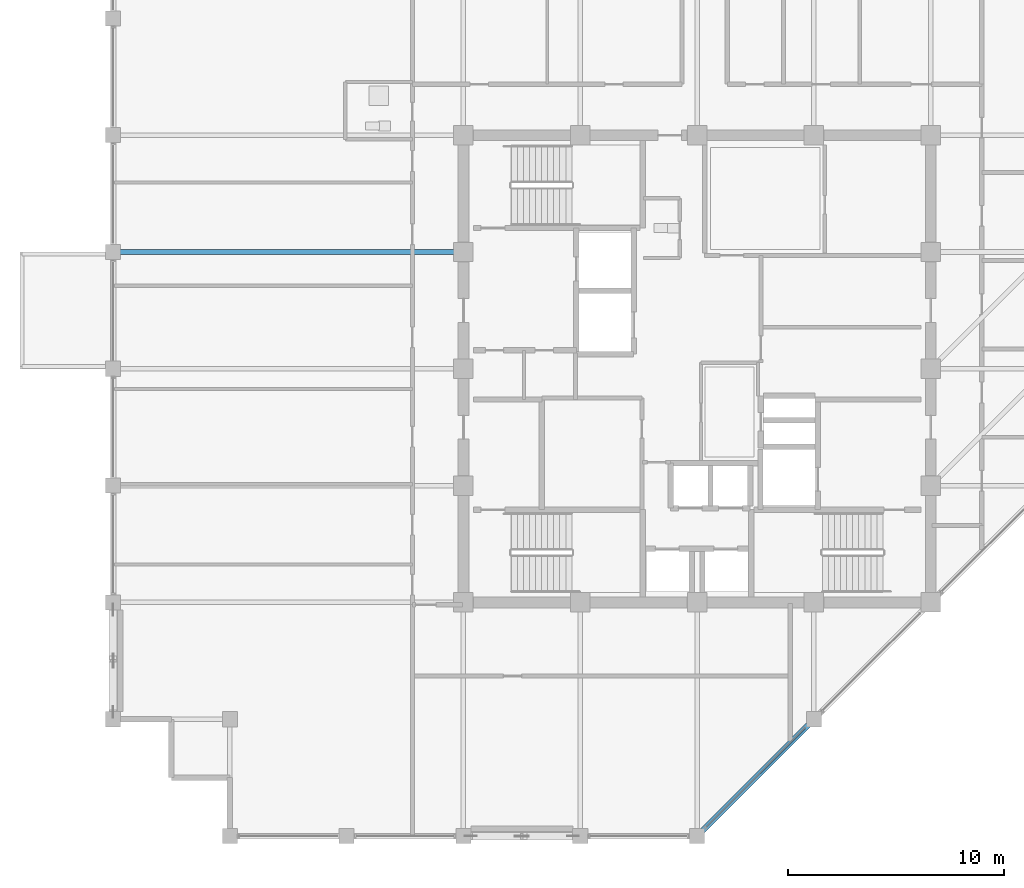
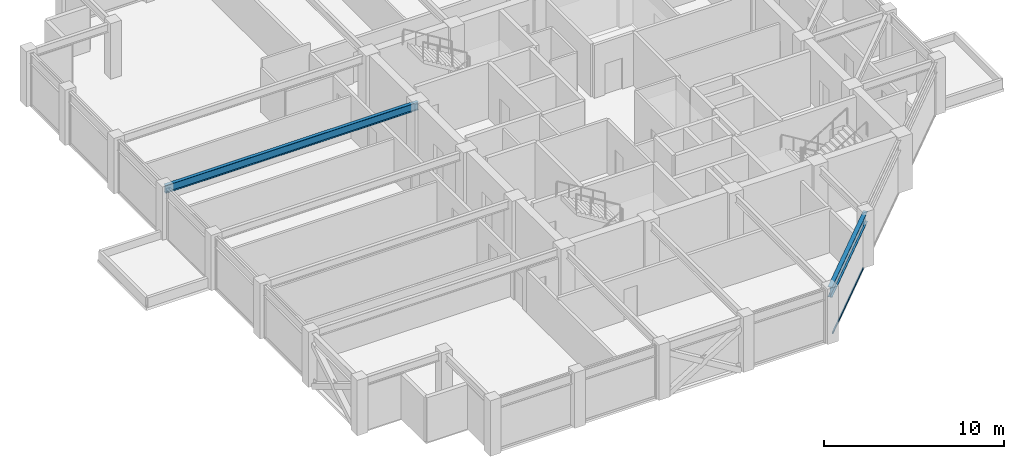
# One storey, part 9 of 29: 2 beams, 1 member, 1 element without a shape of its own.
"""IFC4 building model written with IfcOpenShell, lengths in metres."""

from ifc_helpers import new_model, si_unit, direction, frame, origin, origin_2d, place, context, subcontext, project, spatial, hollow_rectangle, i_section, extrude, material, layer, layer_set, material_profile, profile_set, type_object, element, aggregate, save


model = new_model("IFC4")

# Units and contexts
model_context = context("Model", 3, precision=1e-05, world=origin(), true_north=direction((0.0, 1.0)))
body_context = subcontext(model_context, "Body", "Model", "MODEL_VIEW")
ifc_project = project(units=[si_unit("LENGTHUNIT", "METRE"), si_unit("AREAUNIT", "SQUARE_METRE"), si_unit("VOLUMEUNIT", "CUBIC_METRE"), si_unit("PLANEANGLEUNIT", "RADIAN"), si_unit("MASSUNIT", "GRAM", prefix="KILO")], contexts=[model_context])

# Site, building, storey
site_placement = place(None, origin())
site = spatial("IfcSite", under=ifc_project, at=site_placement, CompositionType="ELEMENT")
building_placement = place(site_placement, origin())
building = spatial("IfcBuilding", under=site, at=building_placement, Name="Surkhivell Harbour Commons", CompositionType="ELEMENT")
storey_placement = place(building_placement, frame((0.0, 0.0, 326.25)))
storey = spatial("IfcBuildingStorey", under=building, at=storey_placement, Name="L85", CompositionType="ELEMENT", Elevation=326.25)

# Beams
ifc_material_1 = material(Name="Steel S355", Category="steel")
ifc_material_profile_1 = material_profile(ifc_material_1, i_section(OverallWidth=0.2099609375, OverallDepth=0.537109375, WebThickness=0.0107421875, FlangeThickness=0.017333984375, at=origin_2d()), Name="UB533x210x101")
ifc_profile_set_1 = profile_set([ifc_material_profile_1], Name="Steel S355")
beam_type_1 = type_object("IfcBeamType", Name="BM-GRD-533B", PredefinedType="BEAM", material=ifc_profile_set_1)
beam_1_placement = place(storey_placement, frame((-27.0, 5.39990234375, 3.301513671875), z_axis=(1.0, 0.0, 0.0), x_axis=(0.0, 1.0, 0.0)))
element("IfcBeam", 1, at=beam_1_placement, inside=storey, type_object=beam_type_1, Name="L85 Floor Girder (-27.0,5.4)", PredefinedType="BEAM", context=body_context, shape_type="SweptSolid", body=[
    extrude(i_section(OverallWidth=0.2099609375, OverallDepth=0.537109375, WebThickness=0.0107421875, FlangeThickness=0.017333984375, at=origin_2d()), origin(), (0.0, 0.0, 1.0), 16.199951171875),
])
ifc_material_profile_2 = material_profile(ifc_material_1, i_section(OverallWidth=0.256103515625, OverallDepth=0.693115234375, WebThickness=0.014404296875, FlangeThickness=0.023681640625, at=origin_2d()), Name="UB686x254x170")
ifc_profile_set_2 = profile_set([ifc_material_profile_2], Name="Steel S355")
beam_type_2 = type_object("IfcBeamType", Name="BM-SPN-686", PredefinedType="SPANDREL", material=ifc_profile_set_2)
beam_2_placement = place(storey_placement, frame((0.0, -21.60009765625, 3.223388671875), z_axis=(0.707090796496, 0.707122765516, 0.0), x_axis=(-0.707122765516, 0.707090796496, 0.0)))
element("IfcBeam", 2, at=beam_2_placement, inside=storey, type_object=beam_type_2, Name="L85 Tube Spandrel (-0.0,-21.6)", PredefinedType="SPANDREL", context=body_context, shape_type="SweptSolid", body=[
    extrude(i_section(OverallWidth=0.256103515625, OverallDepth=0.693115234375, WebThickness=0.014404296875, FlangeThickness=0.023681640625, at=origin_2d()), origin(), (0.0, 0.0, 1.0), 7.63671875),
])

# Curtain wall, member
ifc_material_2 = material(Name="Anodised pale-metal aluminium and insulated glazing", Category="aluminium")
ifc_layer = layer(ifc_material_2, 0.175048828125)
ifc_layer_set = layer_set([ifc_layer], Name="Anodised pale-metal aluminium and insulated glazing")
curtain_wall_type = type_object("IfcCurtainWallType", Name="CW-SYS-Z4", PredefinedType="NOTDEFINED", material=ifc_layer_set)
curtain_wall_placement = place(storey_placement, origin())
curtain_wall = element("IfcCurtainWall", 3, at=curtain_wall_placement, inside=storey, type_object=curtain_wall_type, Name="L85 Curtain Wall CW-L85-E01", PredefinedType="NOTDEFINED")
ifc_material_3 = material(Name="Champagne anodised aluminium alloy 6063-T6", Category="aluminium")
ifc_material_profile_3 = material_profile(ifc_material_3, hollow_rectangle(XDim=0.070068359375, YDim=0.1298828125, WallThickness=0.00341796875, at=origin_2d()), Name="ALU-TRAN-70x130")
ifc_profile_set_3 = profile_set([ifc_material_profile_3], Name="Champagne anodised aluminium alloy 6063-T6")
member_type = type_object("IfcMemberType", Name="CWT-130", PredefinedType="USERDEFINED", material=ifc_profile_set_3)
member_placement = place(storey_placement, frame((0.404541015625, -21.1953125, 0.06494140625), z_axis=(0.707125583467, 0.707087978406, 0.0), x_axis=(-0.707087978406, 0.707125583467, 0.0)))
member = element("IfcMember", 4, at=member_placement, type_object=member_type, Name="CW-Z4 transom 1.1", ObjectType="TRANSOM", PredefinedType="USERDEFINED", context=body_context, shape_type="SweptSolid", body=[
    extrude(hollow_rectangle(XDim=0.070068359375, YDim=0.1298828125, WallThickness=0.00341796875, at=origin_2d()), origin(), (0.0, 0.0, 1.0), 6.4921875),
])
aggregate(curtain_wall, [member])

save(model, "model.ifc")
